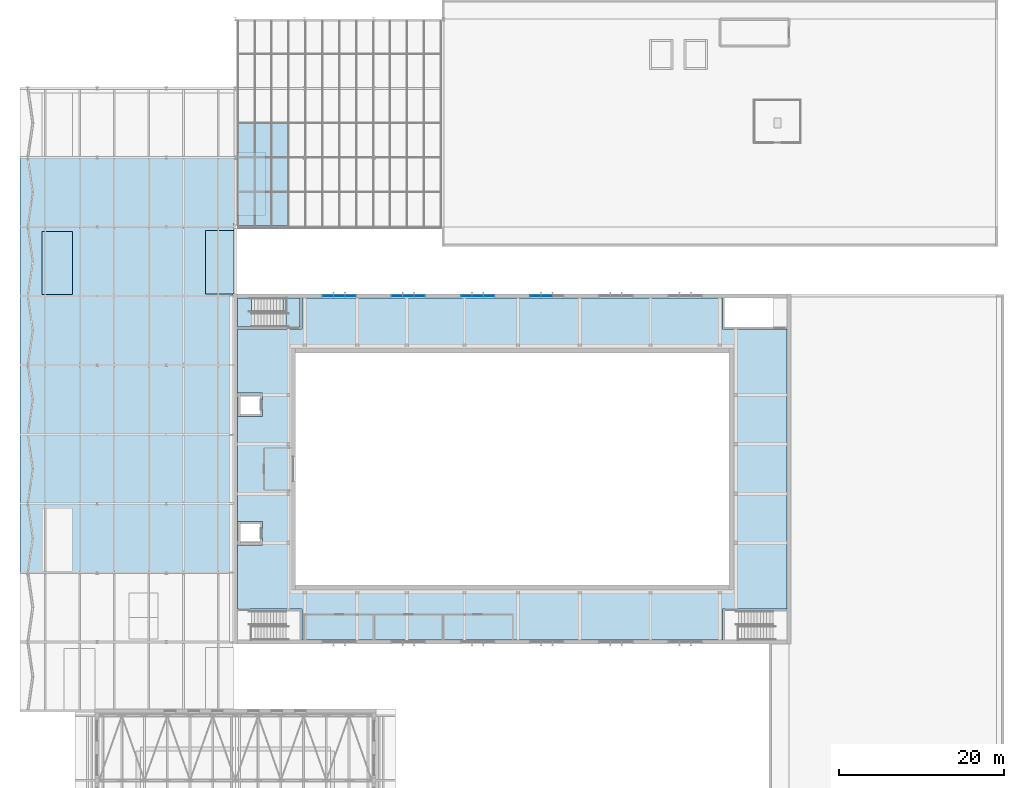
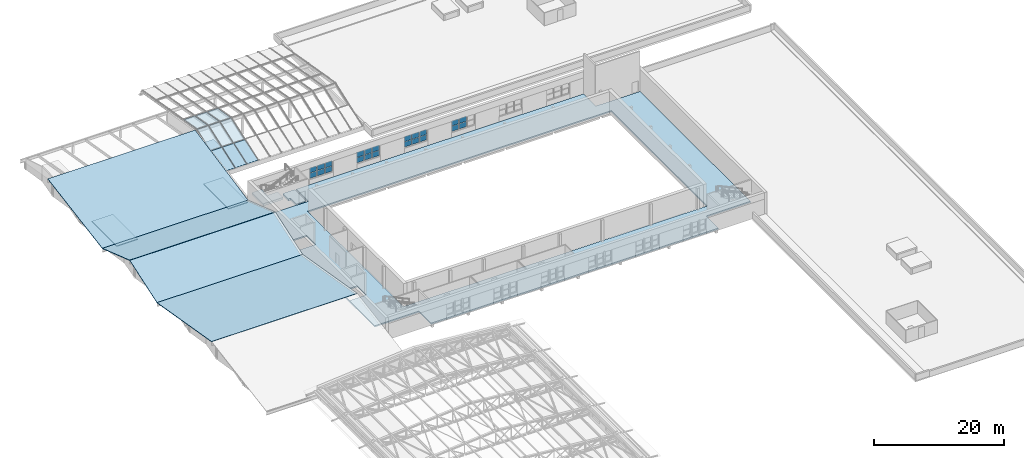
# One storey, part 32 of 60: 31 plates, 10 slabs, 7 elements without a shape of their own.
"""IFC4 building model written with IfcOpenShell, lengths in metres."""

import ifcopenshell
import ifcopenshell.guid

model = None  # the IFC model being written
_history = None  # IfcOwnerHistory: only IFC2X3 demands one
_inside = {}  # id of a spatial element -> (the spatial element, [elements in it])
_under = {}  # id of a project, library or spatial element -> (it, [spatial elements below it])
_declared = {}  # id of a project -> (the project, [libraries it declares])
_typed = {}  # id of a type object -> (the type object, [elements of that type])
_made_of = {}  # id of a material, layer set ... -> (it, [elements and type objects made of it])


def new_model(schema):
    """Start an empty IFC model of exactly this schema.

    Asked for "IFC4X3", IfcOpenShell would pick the latest addendum, in which some entities
    have other attributes; the version numbers below select the first issue.
    IFC2X3 requires an IfcOwnerHistory on every rooted entity: one is made here for all.
    """
    global model, _history
    if schema == "IFC4X3":
        model = ifcopenshell.file(schema_version=(4, 3, 0, 0))
    else:
        model = ifcopenshell.file(schema=schema)
    _inside.clear()
    _under.clear()
    _declared.clear()
    _typed.clear()
    _made_of.clear()
    _history = None
    if model.schema == "IFC2X3":
        org = make("IfcOrganization", Name="unknown")
        user = make(
            "IfcPersonAndOrganization",
            ThePerson=make("IfcPerson", FamilyName="unknown"),
            TheOrganization=org,
        )
        app = make(
            "IfcApplication",
            ApplicationDeveloper=org,
            Version="unknown",
            ApplicationFullName="unknown",
            ApplicationIdentifier="unknown",
        )
        _history = make(
            "IfcOwnerHistory",
            OwningUser=user,
            OwningApplication=app,
            ChangeAction="ADDED",
            CreationDate=0,
        )
    return model


def make(cls, **values):
    """One entity of the class cls with the attributes given. An attribute that is None is left unset."""
    return model.create_entity(
        cls, **{name: value for name, value in values.items() if value is not None}
    )


def rooted(cls, **values):
    """An entity with a GlobalId (a new one), such as an element, a storey or a relation."""
    return make(cls, GlobalId=ifcopenshell.guid.new(), OwnerHistory=_history, **values)


def si_unit(unit_type, name, prefix=None):
    """IfcSIUnit, for example si_unit("LENGTHUNIT", "METRE", prefix="MILLI")."""
    return make("IfcSIUnit", UnitType=unit_type, Prefix=prefix, Name=name)


def assignment(units):
    """IfcUnitAssignment: the units of a project."""
    return None if units is None else make("IfcUnitAssignment", Units=units)


def point(xyz):
    """IfcCartesianPoint."""
    return None if xyz is None else make("IfcCartesianPoint", Coordinates=xyz)


def direction(xyz):
    """IfcDirection."""
    return None if xyz is None else make("IfcDirection", DirectionRatios=xyz)


def frame(location, z_axis=None, x_axis=None):
    """IfcAxis2Placement3D, a coordinate frame: its origin and axes. An axis left out is left unset."""
    return make(
        "IfcAxis2Placement3D",
        Location=point(location),
        Axis=direction(z_axis),
        RefDirection=direction(x_axis),
    )


def frame_2d(location, x_axis=None):
    """IfcAxis2Placement2D, a coordinate frame in the plane: its origin and x axis."""
    return make(
        "IfcAxis2Placement2D", Location=point(location), RefDirection=direction(x_axis)
    )


def origin():
    """The frame at (0, 0, 0) with its axes left unset."""
    return frame((0.0, 0.0, 0.0))


def origin_2d():
    """The frame at (0, 0) in the plane with its x axis left unset."""
    return frame_2d((0.0, 0.0))


def place(relative_to, where):
    """IfcLocalPlacement: puts the frame where relative to a parent placement (None: the world)."""
    return make(
        "IfcLocalPlacement", PlacementRelTo=relative_to, RelativePlacement=where
    )


def context(
    kind, dimensions, precision=None, world=None, true_north=None, identifier=None
):
    """IfcGeometricRepresentationContext, for example the 3D "Model" context."""
    return make(
        "IfcGeometricRepresentationContext",
        ContextIdentifier=identifier,
        ContextType=kind,
        CoordinateSpaceDimension=dimensions,
        Precision=precision,
        WorldCoordinateSystem=world,
        TrueNorth=true_north,
    )


def subcontext(parent, identifier, kind, view, scale=None):
    """IfcGeometricRepresentationSubContext, for example "Body" below "Model"."""
    return make(
        "IfcGeometricRepresentationSubContext",
        ContextIdentifier=identifier,
        ContextType=kind,
        ParentContext=parent,
        TargetScale=scale,
        TargetView=view,
    )


def project(units=None, contexts=None):
    """IfcProject with its units and contexts."""
    return rooted(
        "IfcProject",
        Name="project",
        RepresentationContexts=contexts,
        UnitsInContext=assignment(units),
    )


def spatial(cls, under=None, at=None, **own):
    """A site, building, storey or space (cls), placed at a placement, below another one or the project."""
    s = rooted(cls, ObjectPlacement=at, **own)
    if under is not None:
        _under.setdefault(under.id(), (under, []))[1].append(s)
    return s


def polyline(points):
    """IfcPolyline through the points."""
    return make("IfcPolyline", Points=[point(p) for p in points])


def profile(cls, at=None, kind="AREA", **sizes):
    """A parametric profile (cls). Its sizes go by their IFC names, for example OverallWidth=200.0."""
    return make(cls, ProfileType=kind, Position=at, **sizes)


def rectangle(**sizes):
    """IfcRectangleProfileDef."""
    return profile("IfcRectangleProfileDef", **sizes)


def outline(outer, holes=None, kind="AREA"):
    """IfcArbitraryClosedProfileDef: a profile drawn as a closed curve; with holes, ...WithVoids."""
    if holes is None:
        return make("IfcArbitraryClosedProfileDef", ProfileType=kind, OuterCurve=outer)
    return make(
        "IfcArbitraryProfileDefWithVoids",
        ProfileType=kind,
        OuterCurve=outer,
        InnerCurves=holes,
    )


def extrude(swept, where, along, depth):
    """IfcExtrudedAreaSolid: the profile swept, set in the frame where, extruded along a direction by depth."""
    return make(
        "IfcExtrudedAreaSolid",
        SweptArea=swept,
        Position=where,
        ExtrudedDirection=direction(along),
        Depth=depth,
    )


def shape(context_of_items, identifier, shape_type, items):
    """IfcShapeRepresentation: the items that make up one representation, for example the "Body"."""
    return make(
        "IfcShapeRepresentation",
        ContextOfItems=context_of_items,
        RepresentationIdentifier=identifier,
        RepresentationType=shape_type,
        Items=items,
    )


def material(Name=None, Category=None):
    """IfcMaterial."""
    return make("IfcMaterial", Name=Name, Category=Category)


def layer(
    of_material, thickness, ventilated=None, Name=None, Category=None, Priority=None
):
    """IfcMaterialLayer: one layer of a wall or slab, of a material (None: an air gap)."""
    return make(
        "IfcMaterialLayer",
        Material=of_material,
        LayerThickness=thickness,
        IsVentilated=ventilated,
        Name=Name,
        Category=Category,
        Priority=Priority,
    )


def layer_set(layers, Name=None):
    """IfcMaterialLayerSet."""
    return make("IfcMaterialLayerSet", MaterialLayers=layers, LayerSetName=Name)


def made_of(thing, what):
    """Note that an element or type object is made of a material, layer set ...; save() writes the relation."""
    if what is not None:
        _made_of.setdefault(what.id(), (what, []))[1].append(thing)
    return thing


def type_object(cls, material=None, **own):
    """A type object (cls), such as IfcWallType, which elements share."""
    return made_of(rooted(cls, **own), material)


def element(
    cls,
    number,
    at=None,
    inside=None,
    cuts=None,
    type_object=None,
    material=None,
    context=None,
    identifier="Body",
    shape_type=None,
    held_by="IfcProductDefinitionShape",
    body=None,
    shapes=None,
    **own,
):
    """One element of the class cls, such as IfcWall. Its Tag is "e" and its number.

    at: its placement. inside: the storey or other place that contains it. cuts: it is an
    opening in that element (IfcRelVoidsElement). A single representation is given by context,
    identifier, shape_type and body (its items); several are given by shapes. held_by: the class
    of the entity that holds the representations. save() writes the other relations.
    """
    e = rooted(cls, Tag="e%d" % number, ObjectPlacement=at, **own)
    if body is not None:
        shapes = [shape(context, identifier, shape_type, body)]
    if shapes is not None:
        e.Representation = make(held_by, Representations=shapes)
    if inside is not None:
        _inside.setdefault(inside.id(), (inside, []))[1].append(e)
    if cuts is not None:
        rooted(
            "IfcRelVoidsElement", RelatingBuildingElement=cuts, RelatedOpeningElement=e
        )
    if type_object is not None:
        _typed.setdefault(type_object.id(), (type_object, []))[1].append(e)
    return made_of(e, material)


def aggregate(whole, parts):
    """IfcRelAggregates: a whole, such as a stair, and the parts it consists of."""
    return rooted("IfcRelAggregates", RelatingObject=whole, RelatedObjects=parts)


def save(model, path):
    """Write the relations noted so far, then the file.

    IfcRelAggregates (storeys below a building ...), IfcRelContainedInSpatialStructure (elements
    in a storey), IfcRelDefinesByType, IfcRelAssociatesMaterial and IfcRelDeclares: one each for
    every whole, place, type object, material and project.
    """
    for whole, parts in _under.values():
        aggregate(whole, parts)
    for where, things in _inside.values():
        rooted(
            "IfcRelContainedInSpatialStructure",
            RelatedElements=things,
            RelatingStructure=where,
        )
    for kind, things in _typed.values():
        rooted("IfcRelDefinesByType", RelatedObjects=things, RelatingType=kind)
    for what, things in _made_of.values():
        rooted("IfcRelAssociatesMaterial", RelatedObjects=things, RelatingMaterial=what)
    for by, libraries in _declared.values():
        rooted("IfcRelDeclares", RelatingContext=by, RelatedDefinitions=libraries)
    model.write(path)


model = new_model("IFC4")

# Units and contexts
model_context = context("Model", 3, precision=1e-05, world=origin(), true_north=direction((0.0, 1.0)))
body_context = subcontext(model_context, "Body", "Model", "MODEL_VIEW")
ifc_project = project(units=[si_unit("LENGTHUNIT", "METRE"), si_unit("AREAUNIT", "SQUARE_METRE"), si_unit("VOLUMEUNIT", "CUBIC_METRE"), si_unit("PLANEANGLEUNIT", "RADIAN"), si_unit("MASSUNIT", "GRAM", prefix="KILO")], contexts=[model_context])

# Site, building, storey
site_placement = place(None, origin())
site = spatial("IfcSite", under=ifc_project, at=site_placement, CompositionType="ELEMENT")
building_placement = place(site_placement, origin())
building = spatial("IfcBuilding", under=site, at=building_placement, Name="Ljudholm Concert House", CompositionType="ELEMENT")
storey_placement = place(building_placement, frame((0.0, 0.0, 15.0)))
storey = spatial("IfcBuildingStorey", under=building, at=storey_placement, Name="L03", CompositionType="ELEMENT", Elevation=15.0)

# Curtain wall, plates
ifc_material_1 = material(Name="Aluminium curtain wall with impact-rated laminated glass", Category="aluminium")
curtain_wall_type_1 = type_object("IfcCurtainWallType", Name="CURTAIN WALL 1400", PredefinedType="NOTDEFINED", material=ifc_material_1)
curtain_wall_1_placement = place(storey_placement, origin())
curtain_wall_1 = element("IfcCurtainWall", 1, at=curtain_wall_1_placement, inside=storey, type_object=curtain_wall_type_1, Name="Promenade curtain wall", PredefinedType="NOTDEFINED")
ifc_material_2 = material(Name="Impact-rated laminated glass", Category="glass")
ifc_layer_1 = layer(ifc_material_2, 0.028076171875)
ifc_layer_set_1 = layer_set([ifc_layer_1], Name="Impact-rated laminated glass")
plate_type_1 = type_object("IfcPlateType", Name="CURTAIN PANEL 28", PredefinedType="CURTAIN_PANEL", material=ifc_layer_set_1)
plate_1_placement = place(storey_placement, frame((40.43505859375, 96.39990234375, 0.9599609375), z_axis=(0.0, 0.0, 1.0), x_axis=(1.0, 0.0, 0.0)))
plate_1 = element("IfcPlate", 2, at=plate_1_placement, type_object=plate_type_1, Name="Curtain wall panel", PredefinedType="CURTAIN_PANEL", context=body_context, shape_type="SweptSolid", body=[
    extrude(rectangle(XDim=1.2900390625, YDim=0.028076171875, at=origin_2d()), origin(), (0.0, 0.0, 1.0), 0.9599609375),
])
plate_2_placement = place(storey_placement, frame((40.43505859375, 96.39990234375, 1.97998046875), z_axis=(0.0, 0.0, 1.0), x_axis=(1.0, 0.0, 0.0)))
plate_2 = element("IfcPlate", 3, at=plate_2_placement, type_object=plate_type_1, Name="Curtain wall panel", PredefinedType="CURTAIN_PANEL", context=body_context, shape_type="SweptSolid", body=[
    extrude(rectangle(XDim=1.2900390625, YDim=0.028076171875, at=origin_2d()), origin(), (0.0, 0.0, 1.0), 0.9599609375),
])
plate_3_placement = place(storey_placement, frame((41.800048828125, 96.39990234375, 0.9599609375), z_axis=(0.0, 0.0, 1.0), x_axis=(1.0, 0.0, 0.0)))
plate_3 = element("IfcPlate", 4, at=plate_3_placement, type_object=plate_type_1, Name="Curtain wall panel", PredefinedType="CURTAIN_PANEL", context=body_context, shape_type="SweptSolid", body=[
    extrude(rectangle(XDim=1.320068359375, YDim=0.028076171875, at=origin_2d()), origin(), (0.0, 0.0, 1.0), 0.9599609375),
])
plate_4_placement = place(storey_placement, frame((41.800048828125, 96.39990234375, 1.97998046875), z_axis=(0.0, 0.0, 1.0), x_axis=(1.0, 0.0, 0.0)))
plate_4 = element("IfcPlate", 5, at=plate_4_placement, type_object=plate_type_1, Name="Curtain wall panel", PredefinedType="CURTAIN_PANEL", context=body_context, shape_type="SweptSolid", body=[
    extrude(rectangle(XDim=1.320068359375, YDim=0.028076171875, at=origin_2d()), origin(), (0.0, 0.0, 1.0), 0.9599609375),
])
plate_5_placement = place(storey_placement, frame((43.1650390625, 96.39990234375, 0.9599609375), z_axis=(0.0, 0.0, 1.0), x_axis=(1.0, 0.0, 0.0)))
plate_5 = element("IfcPlate", 6, at=plate_5_placement, type_object=plate_type_1, Name="Curtain wall panel", PredefinedType="CURTAIN_PANEL", context=body_context, shape_type="SweptSolid", body=[
    extrude(rectangle(XDim=1.2900390625, YDim=0.028076171875, at=origin_2d()), origin(), (0.0, 0.0, 1.0), 0.9599609375),
])
plate_6_placement = place(storey_placement, frame((43.1650390625, 96.39990234375, 1.97998046875), z_axis=(0.0, 0.0, 1.0), x_axis=(1.0, 0.0, 0.0)))
plate_6 = element("IfcPlate", 7, at=plate_6_placement, type_object=plate_type_1, Name="Curtain wall panel", PredefinedType="CURTAIN_PANEL", context=body_context, shape_type="SweptSolid", body=[
    extrude(rectangle(XDim=1.2900390625, YDim=0.028076171875, at=origin_2d()), origin(), (0.0, 0.0, 1.0), 0.9599609375),
])
aggregate(curtain_wall_1, [plate_1, plate_2, plate_3, plate_4, plate_5, plate_6])

curtain_wall_2_placement = place(storey_placement, origin())
curtain_wall_2 = element("IfcCurtainWall", 8, at=curtain_wall_2_placement, inside=storey, type_object=curtain_wall_type_1, Name="Promenade curtain wall", PredefinedType="NOTDEFINED")
plate_7_placement = place(storey_placement, frame((48.8349609375, 96.39990234375, 0.9599609375), z_axis=(0.0, 0.0, 1.0), x_axis=(1.0, 0.0, 0.0)))
plate_7 = element("IfcPlate", 9, at=plate_7_placement, type_object=plate_type_1, Name="Curtain wall panel", PredefinedType="CURTAIN_PANEL", context=body_context, shape_type="SweptSolid", body=[
    extrude(rectangle(XDim=1.2900390625, YDim=0.028076171875, at=origin_2d()), origin(), (0.0, 0.0, 1.0), 0.9599609375),
])
plate_8_placement = place(storey_placement, frame((48.8349609375, 96.39990234375, 1.97998046875), z_axis=(0.0, 0.0, 1.0), x_axis=(1.0, 0.0, 0.0)))
plate_8 = element("IfcPlate", 10, at=plate_8_placement, type_object=plate_type_1, Name="Curtain wall panel", PredefinedType="CURTAIN_PANEL", context=body_context, shape_type="SweptSolid", body=[
    extrude(rectangle(XDim=1.2900390625, YDim=0.028076171875, at=origin_2d()), origin(), (0.0, 0.0, 1.0), 0.9599609375),
])
plate_9_placement = place(storey_placement, frame((50.199951171875, 96.39990234375, 0.9599609375), z_axis=(0.0, 0.0, 1.0), x_axis=(1.0, 0.0, 0.0)))
plate_9 = element("IfcPlate", 11, at=plate_9_placement, type_object=plate_type_1, Name="Curtain wall panel", PredefinedType="CURTAIN_PANEL", context=body_context, shape_type="SweptSolid", body=[
    extrude(rectangle(XDim=1.320068359375, YDim=0.028076171875, at=origin_2d()), origin(), (0.0, 0.0, 1.0), 0.9599609375),
])
plate_10_placement = place(storey_placement, frame((50.199951171875, 96.39990234375, 1.97998046875), z_axis=(0.0, 0.0, 1.0), x_axis=(1.0, 0.0, 0.0)))
plate_10 = element("IfcPlate", 12, at=plate_10_placement, type_object=plate_type_1, Name="Curtain wall panel", PredefinedType="CURTAIN_PANEL", context=body_context, shape_type="SweptSolid", body=[
    extrude(rectangle(XDim=1.320068359375, YDim=0.028076171875, at=origin_2d()), origin(), (0.0, 0.0, 1.0), 0.9599609375),
])
plate_11_placement = place(storey_placement, frame((51.56494140625, 96.39990234375, 0.9599609375), z_axis=(0.0, 0.0, 1.0), x_axis=(1.0, 0.0, 0.0)))
plate_11 = element("IfcPlate", 13, at=plate_11_placement, type_object=plate_type_1, Name="Curtain wall panel", PredefinedType="CURTAIN_PANEL", context=body_context, shape_type="SweptSolid", body=[
    extrude(rectangle(XDim=1.2900390625, YDim=0.028076171875, at=origin_2d()), origin(), (0.0, 0.0, 1.0), 0.9599609375),
])
plate_12_placement = place(storey_placement, frame((51.56494140625, 96.39990234375, 1.97998046875), z_axis=(0.0, 0.0, 1.0), x_axis=(1.0, 0.0, 0.0)))
plate_12 = element("IfcPlate", 14, at=plate_12_placement, type_object=plate_type_1, Name="Curtain wall panel", PredefinedType="CURTAIN_PANEL", context=body_context, shape_type="SweptSolid", body=[
    extrude(rectangle(XDim=1.2900390625, YDim=0.028076171875, at=origin_2d()), origin(), (0.0, 0.0, 1.0), 0.9599609375),
])
aggregate(curtain_wall_2, [plate_7, plate_8, plate_9, plate_10, plate_11, plate_12])

curtain_wall_3_placement = place(storey_placement, origin())
curtain_wall_3 = element("IfcCurtainWall", 15, at=curtain_wall_3_placement, inside=storey, type_object=curtain_wall_type_1, Name="Promenade curtain wall", PredefinedType="NOTDEFINED")
plate_13_placement = place(storey_placement, frame((57.235107421875, 96.39990234375, 0.9599609375), z_axis=(0.0, 0.0, 1.0), x_axis=(1.0, 0.0, 0.0)))
plate_13 = element("IfcPlate", 16, at=plate_13_placement, type_object=plate_type_1, Name="Curtain wall panel", PredefinedType="CURTAIN_PANEL", context=body_context, shape_type="SweptSolid", body=[
    extrude(rectangle(XDim=1.2900390625, YDim=0.028076171875, at=origin_2d()), origin(), (0.0, 0.0, 1.0), 0.9599609375),
])
plate_14_placement = place(storey_placement, frame((57.235107421875, 96.39990234375, 1.97998046875), z_axis=(0.0, 0.0, 1.0), x_axis=(1.0, 0.0, 0.0)))
plate_14 = element("IfcPlate", 17, at=plate_14_placement, type_object=plate_type_1, Name="Curtain wall panel", PredefinedType="CURTAIN_PANEL", context=body_context, shape_type="SweptSolid", body=[
    extrude(rectangle(XDim=1.2900390625, YDim=0.028076171875, at=origin_2d()), origin(), (0.0, 0.0, 1.0), 0.9599609375),
])
plate_15_placement = place(storey_placement, frame((58.60009765625, 96.39990234375, 0.9599609375), z_axis=(0.0, 0.0, 1.0), x_axis=(1.0, 0.0, 0.0)))
plate_15 = element("IfcPlate", 18, at=plate_15_placement, type_object=plate_type_1, Name="Curtain wall panel", PredefinedType="CURTAIN_PANEL", context=body_context, shape_type="SweptSolid", body=[
    extrude(rectangle(XDim=1.320068359375, YDim=0.028076171875, at=origin_2d()), origin(), (0.0, 0.0, 1.0), 0.9599609375),
])
plate_16_placement = place(storey_placement, frame((58.60009765625, 96.39990234375, 1.97998046875), z_axis=(0.0, 0.0, 1.0), x_axis=(1.0, 0.0, 0.0)))
plate_16 = element("IfcPlate", 19, at=plate_16_placement, type_object=plate_type_1, Name="Curtain wall panel", PredefinedType="CURTAIN_PANEL", context=body_context, shape_type="SweptSolid", body=[
    extrude(rectangle(XDim=1.320068359375, YDim=0.028076171875, at=origin_2d()), origin(), (0.0, 0.0, 1.0), 0.9599609375),
])
plate_17_placement = place(storey_placement, frame((59.965087890625, 96.39990234375, 0.9599609375), z_axis=(0.0, 0.0, 1.0), x_axis=(1.0, 0.0, 0.0)))
plate_17 = element("IfcPlate", 20, at=plate_17_placement, type_object=plate_type_1, Name="Curtain wall panel", PredefinedType="CURTAIN_PANEL", context=body_context, shape_type="SweptSolid", body=[
    extrude(rectangle(XDim=1.2900390625, YDim=0.028076171875, at=origin_2d()), origin(), (0.0, 0.0, 1.0), 0.9599609375),
])
plate_18_placement = place(storey_placement, frame((59.965087890625, 96.39990234375, 1.97998046875), z_axis=(0.0, 0.0, 1.0), x_axis=(1.0, 0.0, 0.0)))
plate_18 = element("IfcPlate", 21, at=plate_18_placement, type_object=plate_type_1, Name="Curtain wall panel", PredefinedType="CURTAIN_PANEL", context=body_context, shape_type="SweptSolid", body=[
    extrude(rectangle(XDim=1.2900390625, YDim=0.028076171875, at=origin_2d()), origin(), (0.0, 0.0, 1.0), 0.9599609375),
])
aggregate(curtain_wall_3, [plate_13, plate_14, plate_15, plate_16, plate_17, plate_18])

curtain_wall_4_placement = place(storey_placement, origin())
curtain_wall_4 = element("IfcCurtainWall", 22, at=curtain_wall_4_placement, inside=storey, type_object=curtain_wall_type_1, Name="Promenade curtain wall", PredefinedType="NOTDEFINED")
plate_19_placement = place(storey_placement, frame((65.635009765625, 96.39990234375, 0.9599609375), z_axis=(0.0, 0.0, 1.0), x_axis=(1.0, 0.0, 0.0)))
plate_19 = element("IfcPlate", 23, at=plate_19_placement, type_object=plate_type_1, Name="Curtain wall panel", PredefinedType="CURTAIN_PANEL", context=body_context, shape_type="SweptSolid", body=[
    extrude(rectangle(XDim=1.2900390625, YDim=0.028076171875, at=origin_2d()), origin(), (0.0, 0.0, 1.0), 0.9599609375),
])
plate_20_placement = place(storey_placement, frame((65.635009765625, 96.39990234375, 1.97998046875), z_axis=(0.0, 0.0, 1.0), x_axis=(1.0, 0.0, 0.0)))
plate_20 = element("IfcPlate", 24, at=plate_20_placement, type_object=plate_type_1, Name="Curtain wall panel", PredefinedType="CURTAIN_PANEL", context=body_context, shape_type="SweptSolid", body=[
    extrude(rectangle(XDim=1.2900390625, YDim=0.028076171875, at=origin_2d()), origin(), (0.0, 0.0, 1.0), 0.9599609375),
])
plate_21_placement = place(storey_placement, frame((67.0, 96.39990234375, 0.9599609375), z_axis=(0.0, 0.0, 1.0), x_axis=(1.0, 0.0, 0.0)))
plate_21 = element("IfcPlate", 25, at=plate_21_placement, type_object=plate_type_1, Name="Curtain wall panel", PredefinedType="CURTAIN_PANEL", context=body_context, shape_type="SweptSolid", body=[
    extrude(rectangle(XDim=1.320068359375, YDim=0.028076171875, at=origin_2d()), origin(), (0.0, 0.0, 1.0), 0.9599609375),
])
plate_22_placement = place(storey_placement, frame((67.0, 96.39990234375, 1.97998046875), z_axis=(0.0, 0.0, 1.0), x_axis=(1.0, 0.0, 0.0)))
plate_22 = element("IfcPlate", 26, at=plate_22_placement, type_object=plate_type_1, Name="Curtain wall panel", PredefinedType="CURTAIN_PANEL", context=body_context, shape_type="SweptSolid", body=[
    extrude(rectangle(XDim=1.320068359375, YDim=0.028076171875, at=origin_2d()), origin(), (0.0, 0.0, 1.0), 0.9599609375),
])
aggregate(curtain_wall_4, [plate_19, plate_20, plate_21, plate_22])

ifc_material_3 = material(Name="Aluminium roof glazing with impact-rated laminated glass", Category="aluminium")
curtain_wall_type_2 = type_object("IfcCurtainWallType", Name="GLAZED LANTERN ROOF", PredefinedType="NOTDEFINED", material=ifc_material_3)
curtain_wall_5_placement = place(storey_placement, origin())
curtain_wall_5 = element("IfcCurtainWall", 27, at=curtain_wall_5_placement, inside=storey, type_object=curtain_wall_type_2, Name="Glazed lantern roof", PredefinedType="NOTDEFINED")
ifc_material_4 = material(Name="Laminated impact-rated glass", Category="glass")
ifc_layer_2 = layer(ifc_material_4, 0.028076171875)
ifc_layer_set_2 = layer_set([ifc_layer_2], Name="Laminated impact-rated glass")
plate_type_2 = type_object("IfcPlateType", Name="LANTERN GLASS PANEL 28", PredefinedType="CURTAIN_PANEL", material=ifc_layer_set_2)
plate_23_placement = place(storey_placement, frame((29.530029296875, 104.919921875, 0.682373046875), z_axis=(0.0, -0.332340085799, 0.943159619243), x_axis=(1.0, 0.0, 0.0)))
plate_23 = element("IfcPlate", 28, at=plate_23_placement, type_object=plate_type_2, Name="Lantern glass panel", PredefinedType="CURTAIN_PANEL", context=body_context, shape_type="SweptSolid", body=[
    extrude(outline(polyline([(0.0, 0.0), (1.994140625, 0.0), (1.994140625, 4.283515727424715), (0.0, 4.283515727424715), (0.0, 0.0)])), origin(), (0.0, 0.0, -1.0), 0.028076171875),
])
plate_24_placement = place(storey_placement, frame((29.530029296875, 109.0400390625, 2.134033203125), z_axis=(0.0, -0.332356366317, 0.943153882338), x_axis=(1.0, 0.0, 0.0)))
plate_24 = element("IfcPlate", 29, at=plate_24_placement, type_object=plate_type_2, Name="Lantern glass panel", PredefinedType="CURTAIN_PANEL", context=body_context, shape_type="SweptSolid", body=[
    extrude(outline(polyline([(0.0, 0.0), (1.994140625, 0.0), (1.994140625, 4.378800628232209), (0.0, 4.378800628232209), (0.0, 0.0)])), origin(), (0.0, 0.0, -1.0), 0.028076171875),
])
plate_25_placement = place(storey_placement, frame((31.584228515625, 104.919921875, 0.682373046875), z_axis=(0.0, -0.332340085799, 0.943159619243), x_axis=(1.0, 0.0, 0.0)))
plate_25 = element("IfcPlate", 30, at=plate_25_placement, type_object=plate_type_2, Name="Lantern glass panel", PredefinedType="CURTAIN_PANEL", context=body_context, shape_type="SweptSolid", body=[
    extrude(outline(polyline([(0.0, 0.0), (1.994140625, 0.0), (1.994140625, 4.283515727424715), (0.0, 4.283515727424715), (0.0, 0.0)])), origin(), (0.0, 0.0, -1.0), 0.028076171875),
])
plate_26_placement = place(storey_placement, frame((31.584228515625, 109.0400390625, 2.134033203125), z_axis=(0.0, -0.332356366317, 0.943153882338), x_axis=(1.0, 0.0, 0.0)))
plate_26 = element("IfcPlate", 31, at=plate_26_placement, type_object=plate_type_2, Name="Lantern glass panel", PredefinedType="CURTAIN_PANEL", context=body_context, shape_type="SweptSolid", body=[
    extrude(outline(polyline([(0.0, 0.0), (1.994140625, 0.0), (1.994140625, 4.378800628232209), (0.0, 4.378800628232209), (0.0, 0.0)])), origin(), (0.0, 0.0, -1.0), 0.028076171875),
])
plate_27_placement = place(storey_placement, frame((33.638427734375, 104.919921875, 0.682373046875), z_axis=(0.0, -0.332340085799, 0.943159619243), x_axis=(1.0, 0.0, 0.0)))
plate_27 = element("IfcPlate", 32, at=plate_27_placement, type_object=plate_type_2, Name="Lantern glass panel", PredefinedType="CURTAIN_PANEL", context=body_context, shape_type="SweptSolid", body=[
    extrude(outline(polyline([(0.0, 0.0), (1.994140625, 0.0), (1.994140625, 4.283515727424715), (0.0, 4.283515727424715), (0.0, 0.0)])), origin(), (0.0, 0.0, -1.0), 0.028076171875),
])
plate_28_placement = place(storey_placement, frame((33.638427734375, 109.0400390625, 2.134033203125), z_axis=(0.0, -0.332356366317, 0.943153882338), x_axis=(1.0, 0.0, 0.0)))
plate_28 = element("IfcPlate", 33, at=plate_28_placement, type_object=plate_type_2, Name="Lantern glass panel", PredefinedType="CURTAIN_PANEL", context=body_context, shape_type="SweptSolid", body=[
    extrude(outline(polyline([(0.0, 0.0), (1.994140625, 0.0), (1.994140625, 4.378800628232209), (0.0, 4.378800628232209), (0.0, 0.0)])), origin(), (0.0, 0.0, -1.0), 0.028076171875),
])
aggregate(curtain_wall_5, [plate_23, plate_24, plate_25, plate_26, plate_27, plate_28])

curtain_wall_6_placement = place(storey_placement, origin())
curtain_wall_6 = element("IfcCurtainWall", 34, at=curtain_wall_6_placement, inside=storey, type_object=curtain_wall_type_2, Name="Glazed lantern roof", PredefinedType="NOTDEFINED")
plate_29_placement = place(storey_placement, frame((29.530029296875, 113.22998046875, 3.594970703125), z_axis=(0.0, 0.168281272478, 0.985739018875), x_axis=(1.0, 0.0, 0.0)))
plate_29 = element("IfcPlate", 35, at=plate_29_placement, type_object=plate_type_2, Name="Lantern glass panel", PredefinedType="CURTAIN_PANEL", context=body_context, shape_type="SweptSolid", body=[
    extrude(outline(polyline([(0.0, 0.0), (1.994140625, 0.0), (1.994140625, 4.189878734675158), (0.0, 4.189878734675158), (0.0, 0.0)])), origin(), (0.0, 0.0, -1.0), 0.028076171875),
])
plate_30_placement = place(storey_placement, frame((31.584228515625, 113.22998046875, 3.594970703125), z_axis=(0.0, 0.168281272478, 0.985739018875), x_axis=(1.0, 0.0, 0.0)))
plate_30 = element("IfcPlate", 36, at=plate_30_placement, type_object=plate_type_2, Name="Lantern glass panel", PredefinedType="CURTAIN_PANEL", context=body_context, shape_type="SweptSolid", body=[
    extrude(outline(polyline([(0.0, 0.0), (1.994140625, 0.0), (1.994140625, 4.189878734675158), (0.0, 4.189878734675158), (0.0, 0.0)])), origin(), (0.0, 0.0, -1.0), 0.028076171875),
])
plate_31_placement = place(storey_placement, frame((33.638427734375, 113.22998046875, 3.594970703125), z_axis=(0.0, 0.168281272478, 0.985739018875), x_axis=(1.0, 0.0, 0.0)))
plate_31 = element("IfcPlate", 37, at=plate_31_placement, type_object=plate_type_2, Name="Lantern glass panel", PredefinedType="CURTAIN_PANEL", context=body_context, shape_type="SweptSolid", body=[
    extrude(outline(polyline([(0.0, 0.0), (1.994140625, 0.0), (1.994140625, 4.189878734675158), (0.0, 4.189878734675158), (0.0, 0.0)])), origin(), (0.0, 0.0, -1.0), 0.028076171875),
])
aggregate(curtain_wall_6, [plate_29, plate_30, plate_31])

# Slabs
ifc_material_5 = material(Name="Concrete 5,000 psi", Category="concrete")
ifc_layer_3 = layer(ifc_material_5, 0.25)
ifc_layer_set_3 = layer_set([ifc_layer_3], Name="Concrete 5,000 psi")
slab_type_1 = type_object("IfcSlabType", Name="RC FLOOR SLAB 250", PredefinedType="FLOOR", material=ifc_layer_set_3)
slab_1_placement = place(storey_placement, frame((0.0, 0.0, -0.25)))
element("IfcSlab", 38, at=slab_1_placement, inside=storey, type_object=slab_type_1, Name="Ring floor", PredefinedType="FLOOR", context=body_context, shape_type="SweptSolid", body=[
    extrude(outline(polyline([(96.14990234375, 58.39990234375), (88.300048828125, 58.39990234375), (88.300048828125, 54.64990234375), (37.300048828125, 54.64990234375), (37.300048828125, 58.39990234375), (29.449951171875, 58.39990234375), (29.449951171875, 92.39990234375), (37.300048828125, 92.39990234375), (37.300048828125, 96.14990234375), (88.300048828125, 96.14990234375), (88.300048828125, 92.39990234375), (96.14990234375, 92.39990234375), (96.14990234375, 58.39990234375)]), holes=[polyline([(29.52490234375, 69.0), (29.52490234375, 66.199951171875), (32.47509765625, 66.199951171875), (32.47509765625, 69.0), (29.52490234375, 69.0)]), polyline([(35.85009765625, 90.14990234375), (35.85009765625, 60.64990234375), (89.75, 60.64990234375), (89.75, 90.14990234375), (35.85009765625, 90.14990234375)]), polyline([(29.52490234375, 84.60009765625), (29.52490234375, 81.800048828125), (32.47509765625, 81.800048828125), (32.47509765625, 84.60009765625), (29.52490234375, 84.60009765625)])]), origin(), (0.0, 0.0, 1.0), 0.25),
])
ifc_material_6 = material(Name="Concrete 5,000 psi", Category="concrete")
ifc_layer_4 = layer(ifc_material_6, 0.39990234375)
ifc_layer_set_4 = layer_set([ifc_layer_4], Name="Concrete 5,000 psi")
slab_type_2 = type_object("IfcSlabType", Name="RC FLOOR SLAB 400", PredefinedType="FLOOR", material=ifc_layer_set_4)
slab_2_placement = place(storey_placement, frame((0.0, 0.0, -0.39990234375)))
element("IfcSlab", 39, at=slab_2_placement, inside=storey, type_object=slab_type_2, Name="Stair arrival floor EH2", PredefinedType="FLOOR", context=body_context, shape_type="SweptSolid", body=[
    extrude(outline(polyline([(37.050048828125, 96.14990234375), (37.050048828125, 92.64990234375), (35.349609375, 92.64990234375), (35.349609375, 94.449951171875), (34.949951171875, 94.449951171875), (34.949951171875, 96.14990234375), (35.349609375, 96.14990234375), (35.35009765625, 96.14990234375), (37.050048828125, 96.14990234375)])), origin(), (0.0, 0.0, 1.0), 0.39990234375),
])

# Stair, slab
ifc_material_7 = material(Name="Concrete 5,000 psi", Category="concrete")
stair_type = type_object("IfcStairType", Name="RC STAIR 1700x175x382", PredefinedType="HALF_TURN_STAIR", material=ifc_material_7)
stair_placement = place(storey_placement, origin())
stair = element("IfcStair", 40, at=stair_placement, inside=storey, type_object=stair_type, Name="Exit stair EH2", PredefinedType="HALF_TURN_STAIR")
ifc_material_8 = material(Name="Concrete 5,000 psi", Category="concrete")
ifc_layer_5 = layer(ifc_material_8, 0.409912109375)
ifc_layer_set_5 = layer_set([ifc_layer_5], Name="Concrete 5,000 psi")
slab_type_3 = type_object("IfcSlabType", Name="RC LANDING 410", PredefinedType="LANDING", material=ifc_layer_set_5)
slab_3_placement = place(storey_placement, frame((0.0, 0.0, 1.68994140625)))
slab_3 = element("IfcSlab", 41, at=slab_3_placement, type_object=slab_type_3, Name="Stair landing", PredefinedType="LANDING", context=body_context, shape_type="SweptSolid", body=[
    extrude(outline(polyline([(32.97998046875, 92.64990234375), (32.97998046875, 94.35009765625), (31.150390625, 94.35009765625), (31.150390625, 96.14990234375), (29.449951171875, 96.14990234375), (29.449951171875, 92.64990234375), (32.97998046875, 92.64990234375)])), origin(), (0.0, 0.0, 1.0), 0.41015625),
])
aggregate(stair, [slab_3])

# Slabs
ifc_material_9 = material(Name="Concrete 5,000 psi", Category="concrete")
ifc_layer_6 = layer(ifc_material_9, 0.14990234375)
ifc_layer_set_6 = layer_set([ifc_layer_6], Name="Concrete 5,000 psi")
slab_type_4 = type_object("IfcSlabType", Name="RC ROOF SLAB 150", PredefinedType="ROOF", material=ifc_layer_set_6)
slab_4_placement = place(storey_placement, origin())
element("IfcSlab", 42, at=slab_4_placement, inside=storey, type_object=slab_type_4, Name="Stair shaft cap", PredefinedType="ROOF", context=body_context, shape_type="SweptSolid", body=[
    extrude(outline(polyline([(25.550048828125, 96.64990234375), (29.050048828125, 96.64990234375), (29.050048828125, 104.35009765625), (25.550048828125, 104.35009765625), (25.550048828125, 96.64990234375)])), origin(), (0.0, 0.0, 1.0), 0.14990234375),
])
slab_5_placement = place(storey_placement, origin())
element("IfcSlab", 43, at=slab_5_placement, inside=storey, type_object=slab_type_4, Name="Stair shaft cap", PredefinedType="ROOF", context=body_context, shape_type="SweptSolid", body=[
    extrude(outline(polyline([(5.699951171875, 96.550048828125), (9.449951171875, 96.550048828125), (9.449951171875, 104.25), (5.699951171875, 104.25), (5.699951171875, 96.550048828125)])), origin(), (0.0, 0.0, 1.0), 0.14990234375),
])
slab_6_placement = place(storey_placement, origin())
element("IfcSlab", 44, at=slab_6_placement, inside=storey, type_object=slab_type_4, Name="Stair shaft cap", PredefinedType="ROOF", context=body_context, shape_type="SweptSolid", body=[
    extrude(outline(polyline([(29.389892578125, 106.179931640625), (32.85009765625, 106.179931640625), (32.85009765625, 113.8798828125), (29.389892578125, 113.8798828125), (29.389892578125, 106.179931640625)])), origin(), (0.0, 0.0, 1.0), 0.14990234375),
])
ifc_material_10 = material(Name="Steel ASTM A653 Gr. 50", Category="steel")
ifc_layer_7 = layer(ifc_material_10, 0.10009765625)
ifc_layer_set_7 = layer_set([ifc_layer_7], Name="Steel ASTM A653 Gr. 50")
slab_type_5 = type_object("IfcSlabType", Name="STEEL ROOF DECK 100", PredefinedType="ROOF", material=ifc_layer_set_7)
slab_7_placement = place(storey_placement, frame((3.050048828125, 62.817138671875, 3.59716796875), z_axis=(0.0, 0.16828796696, 0.985737875998), x_axis=(1.0, 0.0, 0.0)))
element("IfcSlab", 45, at=slab_7_placement, inside=storey, type_object=slab_type_5, Name="Roof deck", PredefinedType="ROOF", context=body_context, shape_type="SweptSolid", body=[
    extrude(outline(polyline([(0.0, 0.0), (25.849853515625, 0.0), (25.849853515625, 17.025782810047094), (0.0, 17.025782810047094), (0.0, 0.0)])), origin(), (0.0, 0.0, -1.0), 0.10009765625),
])
for number, where, z_axis, x_axis, name in (
    (46, (3.050048828125, 79.60009765625, 0.73193359375), (0.0, -0.323129374826, 0.946354799811), (1.0, 0.0, 0.0), "Roof deck"),
    (47, (3.050048828125, 88.0341796875, 3.58837890625), (0.0, 0.323129374826, 0.946354799811), (1.0, 0.0, 0.0), "Roof deck"),
):
    element("IfcSlab", number, at=place(storey_placement, frame(where, z_axis=z_axis, x_axis=x_axis)), inside=storey, type_object=slab_type_5, Name=name, PredefinedType="ROOF", context=body_context, shape_type="SweptSolid", body=[
        extrude(outline(polyline([(0.0, 0.0), (25.849853515625, 0.0), (25.849853515625, 8.839943177679242), (0.0, 8.839943177679242), (0.0, 0.0)])), origin(), (0.0, 0.0, -1.0), 0.10009765625),
    ])
slab_8_placement = place(storey_placement, frame((3.050048828125, 96.39990234375, 0.73193359375), z_axis=(0.0, -0.16828796696, 0.985737875998), x_axis=(1.0, 0.0, 0.0)))
element("IfcSlab", 48, at=slab_8_placement, inside=storey, type_object=slab_type_5, Name="Roof deck", PredefinedType="ROOF", context=body_context, shape_type="SweptSolid", body=[
    extrude(outline(polyline([(0.0, 0.0), (25.849853515625, 0.0), (26.14990234375, 17.025782810047094), (0.0, 17.025782810047094), (0.0, 0.0)])), origin(), (0.0, 0.0, -1.0), 0.10009765625),
])

save(model, "model.ifc")
